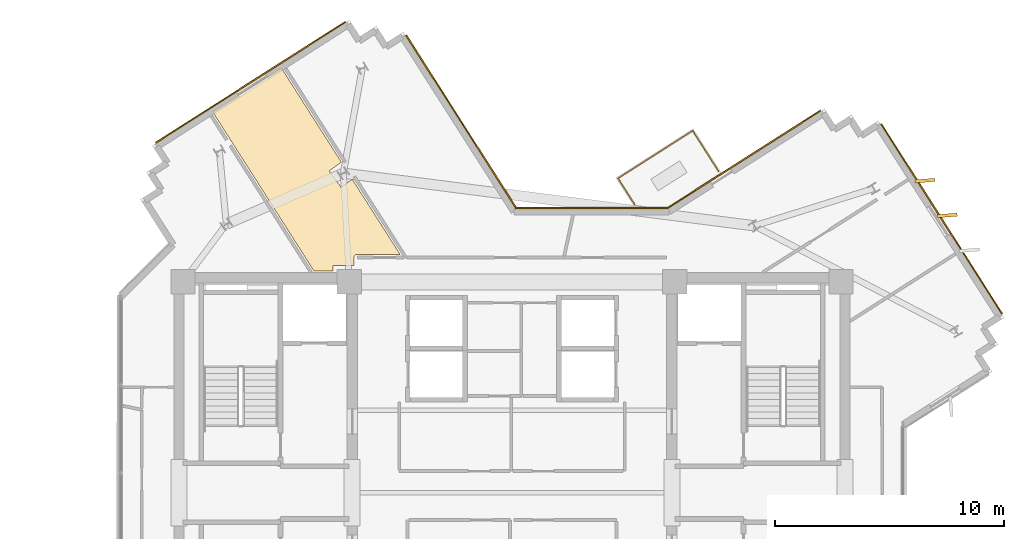
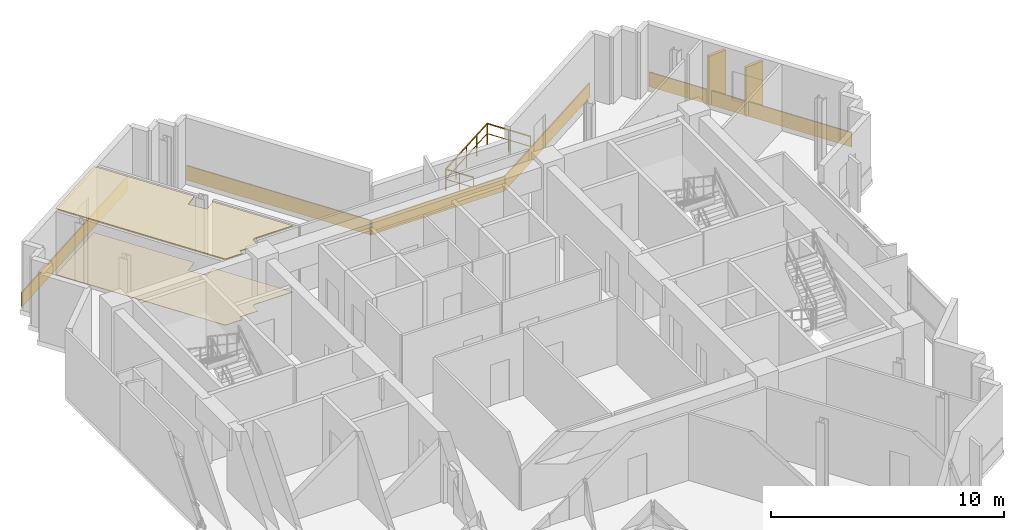
# One storey, part 12 of 12: 9 coverings, 3 railings.
"""IFC4 building model written with IfcOpenShell, lengths in metres."""

import ifcopenshell
import ifcopenshell.guid

model = None  # the IFC model being written
_history = None  # IfcOwnerHistory: only IFC2X3 demands one
_inside = {}  # id of a spatial element -> (the spatial element, [elements in it])
_under = {}  # id of a project, library or spatial element -> (it, [spatial elements below it])
_declared = {}  # id of a project -> (the project, [libraries it declares])
_typed = {}  # id of a type object -> (the type object, [elements of that type])
_made_of = {}  # id of a material, layer set ... -> (it, [elements and type objects made of it])


def new_model(schema):
    """Start an empty IFC model of exactly this schema.

    Asked for "IFC4X3", IfcOpenShell would pick the latest addendum, in which some entities
    have other attributes; the version numbers below select the first issue.
    IFC2X3 requires an IfcOwnerHistory on every rooted entity: one is made here for all.
    """
    global model, _history
    if schema == "IFC4X3":
        model = ifcopenshell.file(schema_version=(4, 3, 0, 0))
    else:
        model = ifcopenshell.file(schema=schema)
    _inside.clear()
    _under.clear()
    _declared.clear()
    _typed.clear()
    _made_of.clear()
    _history = None
    if model.schema == "IFC2X3":
        org = make("IfcOrganization", Name="unknown")
        user = make(
            "IfcPersonAndOrganization",
            ThePerson=make("IfcPerson", FamilyName="unknown"),
            TheOrganization=org,
        )
        app = make(
            "IfcApplication",
            ApplicationDeveloper=org,
            Version="unknown",
            ApplicationFullName="unknown",
            ApplicationIdentifier="unknown",
        )
        _history = make(
            "IfcOwnerHistory",
            OwningUser=user,
            OwningApplication=app,
            ChangeAction="ADDED",
            CreationDate=0,
        )
    return model


def make(cls, **values):
    """One entity of the class cls with the attributes given. An attribute that is None is left unset."""
    return model.create_entity(
        cls, **{name: value for name, value in values.items() if value is not None}
    )


def rooted(cls, **values):
    """An entity with a GlobalId (a new one), such as an element, a storey or a relation."""
    return make(cls, GlobalId=ifcopenshell.guid.new(), OwnerHistory=_history, **values)


def si_unit(unit_type, name, prefix=None):
    """IfcSIUnit, for example si_unit("LENGTHUNIT", "METRE", prefix="MILLI")."""
    return make("IfcSIUnit", UnitType=unit_type, Prefix=prefix, Name=name)


def assignment(units):
    """IfcUnitAssignment: the units of a project."""
    return None if units is None else make("IfcUnitAssignment", Units=units)


def point(xyz):
    """IfcCartesianPoint."""
    return None if xyz is None else make("IfcCartesianPoint", Coordinates=xyz)


def direction(xyz):
    """IfcDirection."""
    return None if xyz is None else make("IfcDirection", DirectionRatios=xyz)


def frame(location, z_axis=None, x_axis=None):
    """IfcAxis2Placement3D, a coordinate frame: its origin and axes. An axis left out is left unset."""
    return make(
        "IfcAxis2Placement3D",
        Location=point(location),
        Axis=direction(z_axis),
        RefDirection=direction(x_axis),
    )


def frame_2d(location, x_axis=None):
    """IfcAxis2Placement2D, a coordinate frame in the plane: its origin and x axis."""
    return make(
        "IfcAxis2Placement2D", Location=point(location), RefDirection=direction(x_axis)
    )


def origin():
    """The frame at (0, 0, 0) with its axes left unset."""
    return frame((0.0, 0.0, 0.0))


def origin_2d():
    """The frame at (0, 0) in the plane with its x axis left unset."""
    return frame_2d((0.0, 0.0))


def place(relative_to, where):
    """IfcLocalPlacement: puts the frame where relative to a parent placement (None: the world)."""
    return make(
        "IfcLocalPlacement", PlacementRelTo=relative_to, RelativePlacement=where
    )


def context(
    kind, dimensions, precision=None, world=None, true_north=None, identifier=None
):
    """IfcGeometricRepresentationContext, for example the 3D "Model" context."""
    return make(
        "IfcGeometricRepresentationContext",
        ContextIdentifier=identifier,
        ContextType=kind,
        CoordinateSpaceDimension=dimensions,
        Precision=precision,
        WorldCoordinateSystem=world,
        TrueNorth=true_north,
    )


def subcontext(parent, identifier, kind, view, scale=None):
    """IfcGeometricRepresentationSubContext, for example "Body" below "Model"."""
    return make(
        "IfcGeometricRepresentationSubContext",
        ContextIdentifier=identifier,
        ContextType=kind,
        ParentContext=parent,
        TargetScale=scale,
        TargetView=view,
    )


def project(units=None, contexts=None):
    """IfcProject with its units and contexts."""
    return rooted(
        "IfcProject",
        Name="project",
        RepresentationContexts=contexts,
        UnitsInContext=assignment(units),
    )


def spatial(cls, under=None, at=None, **own):
    """A site, building, storey or space (cls), placed at a placement, below another one or the project."""
    s = rooted(cls, ObjectPlacement=at, **own)
    if under is not None:
        _under.setdefault(under.id(), (under, []))[1].append(s)
    return s


def polyline(points):
    """IfcPolyline through the points."""
    return make("IfcPolyline", Points=[point(p) for p in points])


def profile(cls, at=None, kind="AREA", **sizes):
    """A parametric profile (cls). Its sizes go by their IFC names, for example OverallWidth=200.0."""
    return make(cls, ProfileType=kind, Position=at, **sizes)


def rectangle(**sizes):
    """IfcRectangleProfileDef."""
    return profile("IfcRectangleProfileDef", **sizes)


def outline(outer, holes=None, kind="AREA"):
    """IfcArbitraryClosedProfileDef: a profile drawn as a closed curve; with holes, ...WithVoids."""
    if holes is None:
        return make("IfcArbitraryClosedProfileDef", ProfileType=kind, OuterCurve=outer)
    return make(
        "IfcArbitraryProfileDefWithVoids",
        ProfileType=kind,
        OuterCurve=outer,
        InnerCurves=holes,
    )


def extrude(swept, where, along, depth):
    """IfcExtrudedAreaSolid: the profile swept, set in the frame where, extruded along a direction by depth."""
    return make(
        "IfcExtrudedAreaSolid",
        SweptArea=swept,
        Position=where,
        ExtrudedDirection=direction(along),
        Depth=depth,
    )


def shape(context_of_items, identifier, shape_type, items):
    """IfcShapeRepresentation: the items that make up one representation, for example the "Body"."""
    return make(
        "IfcShapeRepresentation",
        ContextOfItems=context_of_items,
        RepresentationIdentifier=identifier,
        RepresentationType=shape_type,
        Items=items,
    )


def source(mapping_origin, context_of_items, identifier, shape_type, items):
    """IfcRepresentationMap: a shape defined once, which mapped items show again and again."""
    return make(
        "IfcRepresentationMap",
        MappingOrigin=mapping_origin,
        MappedRepresentation=shape(context_of_items, identifier, shape_type, items),
    )


def transform(
    local_origin,
    x_axis=None,
    y_axis=None,
    z_axis=None,
    scale=None,
    scale2=None,
    scale3=None,
    uniform=True,
):
    """IfcCartesianTransformationOperator3D, or its non-uniform kind. x_axis, y_axis, z_axis: its Axis1, 2, 3."""
    if uniform:
        return make(
            "IfcCartesianTransformationOperator3D",
            Axis1=direction(x_axis),
            Axis2=direction(y_axis),
            LocalOrigin=point(local_origin),
            Scale=scale,
            Axis3=direction(z_axis),
        )
    return make(
        "IfcCartesianTransformationOperator3DnonUniform",
        Axis1=direction(x_axis),
        Axis2=direction(y_axis),
        LocalOrigin=point(local_origin),
        Scale=scale,
        Axis3=direction(z_axis),
        Scale2=scale2,
        Scale3=scale3,
    )


def mapped(mapping_source, mapping_target):
    """IfcMappedItem: shows the shape of a source again, moved by a transform."""
    return make(
        "IfcMappedItem", MappingSource=mapping_source, MappingTarget=mapping_target
    )


def material(Name=None, Category=None):
    """IfcMaterial."""
    return make("IfcMaterial", Name=Name, Category=Category)


def layer(
    of_material, thickness, ventilated=None, Name=None, Category=None, Priority=None
):
    """IfcMaterialLayer: one layer of a wall or slab, of a material (None: an air gap)."""
    return make(
        "IfcMaterialLayer",
        Material=of_material,
        LayerThickness=thickness,
        IsVentilated=ventilated,
        Name=Name,
        Category=Category,
        Priority=Priority,
    )


def layer_set(layers, Name=None):
    """IfcMaterialLayerSet."""
    return make("IfcMaterialLayerSet", MaterialLayers=layers, LayerSetName=Name)


def made_of(thing, what):
    """Note that an element or type object is made of a material, layer set ...; save() writes the relation."""
    if what is not None:
        _made_of.setdefault(what.id(), (what, []))[1].append(thing)
    return thing


def type_object(cls, material=None, **own):
    """A type object (cls), such as IfcWallType, which elements share."""
    return made_of(rooted(cls, **own), material)


def element(
    cls,
    number,
    at=None,
    inside=None,
    cuts=None,
    type_object=None,
    material=None,
    context=None,
    identifier="Body",
    shape_type=None,
    held_by="IfcProductDefinitionShape",
    body=None,
    shapes=None,
    **own,
):
    """One element of the class cls, such as IfcWall. Its Tag is "e" and its number.

    at: its placement. inside: the storey or other place that contains it. cuts: it is an
    opening in that element (IfcRelVoidsElement). A single representation is given by context,
    identifier, shape_type and body (its items); several are given by shapes. held_by: the class
    of the entity that holds the representations. save() writes the other relations.
    """
    e = rooted(cls, Tag="e%d" % number, ObjectPlacement=at, **own)
    if body is not None:
        shapes = [shape(context, identifier, shape_type, body)]
    if shapes is not None:
        e.Representation = make(held_by, Representations=shapes)
    if inside is not None:
        _inside.setdefault(inside.id(), (inside, []))[1].append(e)
    if cuts is not None:
        rooted(
            "IfcRelVoidsElement", RelatingBuildingElement=cuts, RelatedOpeningElement=e
        )
    if type_object is not None:
        _typed.setdefault(type_object.id(), (type_object, []))[1].append(e)
    return made_of(e, material)


def aggregate(whole, parts):
    """IfcRelAggregates: a whole, such as a stair, and the parts it consists of."""
    return rooted("IfcRelAggregates", RelatingObject=whole, RelatedObjects=parts)


def save(model, path):
    """Write the relations noted so far, then the file.

    IfcRelAggregates (storeys below a building ...), IfcRelContainedInSpatialStructure (elements
    in a storey), IfcRelDefinesByType, IfcRelAssociatesMaterial and IfcRelDeclares: one each for
    every whole, place, type object, material and project.
    """
    for whole, parts in _under.values():
        aggregate(whole, parts)
    for where, things in _inside.values():
        rooted(
            "IfcRelContainedInSpatialStructure",
            RelatedElements=things,
            RelatingStructure=where,
        )
    for kind, things in _typed.values():
        rooted("IfcRelDefinesByType", RelatedObjects=things, RelatingType=kind)
    for what, things in _made_of.values():
        rooted("IfcRelAssociatesMaterial", RelatedObjects=things, RelatingMaterial=what)
    for by, libraries in _declared.values():
        rooted("IfcRelDeclares", RelatingContext=by, RelatedDefinitions=libraries)
    model.write(path)


model = new_model("IFC4")

# Units and contexts
model_context = context("Model", 3, precision=1e-05, world=origin(), true_north=direction((0.0, 1.0)))
body_context = subcontext(model_context, "Body", "Model", "MODEL_VIEW")
ifc_project = project(units=[si_unit("LENGTHUNIT", "METRE"), si_unit("AREAUNIT", "SQUARE_METRE"), si_unit("VOLUMEUNIT", "CUBIC_METRE"), si_unit("PLANEANGLEUNIT", "RADIAN"), si_unit("MASSUNIT", "GRAM", prefix="KILO")], contexts=[model_context])

# Site, building, storey
site_placement = place(None, origin())
site = spatial("IfcSite", under=ifc_project, at=site_placement, CompositionType="ELEMENT")
building_placement = place(site_placement, origin())
building = spatial("IfcBuilding", under=site, at=building_placement, Name="Zahravan Cultural Tower", CompositionType="ELEMENT")
storey_placement = place(building_placement, frame((0.0, 0.0, 265.35009765625)))
storey = spatial("IfcBuildingStorey", under=building, at=storey_placement, Name="L63", CompositionType="ELEMENT", Elevation=265.35009765625)

# Coverings
ifc_material_1 = material(Name="Acoustic mineral fibreboard")
ifc_layer_1 = layer(ifc_material_1, 0.0400390625)
ifc_layer_set_1 = layer_set([ifc_layer_1], Name="Acoustic mineral fibreboard")
covering_type_1 = type_object("IfcCoveringType", Name="COV-CEIL-AC20", PredefinedType="CEILING", material=ifc_layer_set_1)
covering_1_placement = place(storey_placement, frame((0.0, 0.0, 3.4599609375)))
element("IfcCovering", 1, at=covering_1_placement, inside=storey, type_object=covering_type_1, Name="L63 Acoustic Suspended Ceiling", PredefinedType="CEILING", context=body_context, shape_type="SweptSolid", body=[
    extrude(outline(polyline([(28.54541015625, 40.32275390625), (28.0283203125, 41.03466796875), (28.55712890625, 41.4189453125), (25.93505859375, 45.53466796875), (22.9326171875, 43.6220703125), (27.35498046875, 36.679931640625), (28.199951171875, 36.679931640625), (28.199951171875, 36.89990234375), (29.110107421875, 36.89990234375), (29.1103515625, 37.28173828125), (29.139892578125, 37.353271484375), (29.21630859375, 37.398681640625), (31.117431640625, 37.39990234375), (29.03076171875, 40.67529296875), (28.54541015625, 40.32275390625)])), origin(), (0.0, 0.0, 1.0), 0.0400390625),
])
ifc_material_2 = material(Name="Terrazzo flooring")
ifc_layer_2 = layer(ifc_material_2, 0.02490234375)
ifc_layer_set_2 = layer_set([ifc_layer_2], Name="Terrazzo flooring")
covering_type_2 = type_object("IfcCoveringType", Name="COV-FLR-TZ25", PredefinedType="FLOORING", material=ifc_layer_set_2)
covering_2_placement = place(storey_placement, origin())
element("IfcCovering", 2, at=covering_2_placement, inside=storey, type_object=covering_type_2, Name="L63 Polished Terrazzo Flooring", PredefinedType="FLOORING", context=body_context, shape_type="SweptSolid", body=[
    extrude(outline(polyline([(28.54541015625, 40.32275390625), (28.0283203125, 41.03466796875), (28.55712890625, 41.4189453125), (25.93505859375, 45.53466796875), (22.9326171875, 43.6220703125), (27.35498046875, 36.679931640625), (28.199951171875, 36.679931640625), (28.199951171875, 36.89990234375), (29.110107421875, 36.89990234375), (29.1103515625, 37.28173828125), (29.139892578125, 37.353271484375), (29.21630859375, 37.398681640625), (31.117431640625, 37.39990234375), (29.03076171875, 40.67529296875), (28.54541015625, 40.32275390625)])), origin(), (0.0, 0.0, 1.0), 0.02490234375),
])

# Railings
ifc_material_3 = material(Name="Steel ASTM A572 Grade 50", Category="steel")
railing_type = type_object("IfcRailingType", Name="RL-BAL-1150", PredefinedType="BALUSTRADE", material=ifc_material_3)
railing_1_placement = place(storey_placement, frame((40.626220703125, 40.71337890625, 0.0)))
element("IfcRailing", 3, at=railing_1_placement, inside=storey, type_object=railing_type, Name="L63 Edge Balustrade GRD-TR-L63-NE-01", PredefinedType="BALUSTRADE", context=body_context, shape_type="SweptSolid", body=[
    extrude(rectangle(XDim=0.05, YDim=0.05, at=origin_2d()), frame((0.0, 0.0, 1.125), z_axis=(0.843400958966, 0.537284675397, 0.0), x_axis=(-0.537284675397, 0.843400958966, 0.0)), (0.0, 0.0, 1.0), 3.860107421875),
    extrude(rectangle(XDim=0.032, YDim=0.032, at=origin_2d()), frame((0.0, 0.0, 0.597900390625), z_axis=(0.843400958966, 0.537284675397, 0.0), x_axis=(-0.537284675397, 0.843400958966, 0.0)), (0.0, 0.0, 1.0), 3.860107421875),
    extrude(rectangle(XDim=0.04, YDim=0.04, at=origin_2d()), origin(), (0.0, 0.0, 1.0), 1.14990234375),
    extrude(rectangle(XDim=0.04, YDim=0.04, at=origin_2d()), frame((0.81396484375, 0.5185546875, 0.0)), (0.0, 0.0, 1.0), 1.14990234375),
    extrude(rectangle(XDim=0.04, YDim=0.04, at=origin_2d()), frame((1.6279296875, 1.037109375, 0.0)), (0.0, 0.0, 1.0), 1.14990234375),
    extrude(rectangle(XDim=0.04, YDim=0.04, at=origin_2d()), frame((2.441650390625, 1.555419921875, 0.0)), (0.0, 0.0, 1.0), 1.14990234375),
    extrude(rectangle(XDim=0.04, YDim=0.04, at=origin_2d()), frame((3.255615234375, 2.073974609375, 0.0)), (0.0, 0.0, 1.0), 1.14990234375),
])
railing_2_placement = place(storey_placement, frame((43.8818359375, 42.787353515625, 0.0)))
element("IfcRailing", 4, at=railing_2_placement, inside=storey, type_object=railing_type, Name="L63 Edge Balustrade GRD-TR-L63-NE-02", PredefinedType="BALUSTRADE", context=body_context, shape_type="SweptSolid", body=[
    extrude(rectangle(XDim=0.05, YDim=0.05, at=origin_2d()), frame((0.0, 0.0, 1.125), z_axis=(0.537221481212, -0.8434412132, 0.0), x_axis=(0.8434412132, 0.537221481212, 0.0)), (0.0, 0.0, 1.0), 2.10009765625),
    extrude(rectangle(XDim=0.032, YDim=0.032, at=origin_2d()), frame((0.0, 0.0, 0.597900390625), z_axis=(0.537221481212, -0.8434412132, 0.0), x_axis=(0.8434412132, 0.537221481212, 0.0)), (0.0, 0.0, 1.0), 2.10009765625),
    extrude(rectangle(XDim=0.04, YDim=0.04, at=origin_2d()), origin(), (0.0, 0.0, 1.0), 1.14990234375),
    extrude(rectangle(XDim=0.04, YDim=0.04, at=origin_2d()), frame((0.56396484375, -0.8857421875, 0.0)), (0.0, 0.0, 1.0), 1.14990234375),
    extrude(rectangle(XDim=0.04, YDim=0.04, at=origin_2d()), frame((1.128173828125, -1.771240234375, 0.0)), (0.0, 0.0, 1.0), 1.14990234375),
])
railing_3_placement = place(storey_placement, frame((41.348388671875, 39.580078125, 0.0)))
element("IfcRailing", 5, at=railing_3_placement, inside=storey, type_object=railing_type, Name="L63 Edge Balustrade GRD-TR-L63-NE-03", PredefinedType="BALUSTRADE", context=body_context, shape_type="SweptSolid", body=[
    extrude(rectangle(XDim=0.05, YDim=0.05, at=origin_2d()), frame((0.0, 0.0, 1.125), z_axis=(-0.53739262876, 0.843332178062, 0.0), x_axis=(-0.843332178062, -0.53739262876, 0.0)), (0.0, 0.0, 1.0), 1.34375),
    extrude(rectangle(XDim=0.032, YDim=0.032, at=origin_2d()), frame((0.0, 0.0, 0.597900390625), z_axis=(-0.53739262876, 0.843332178062, 0.0), x_axis=(-0.843332178062, -0.53739262876, 0.0)), (0.0, 0.0, 1.0), 1.34375),
    extrude(rectangle(XDim=0.04, YDim=0.04, at=origin_2d()), origin(), (0.0, 0.0, 1.0), 1.14990234375),
    extrude(rectangle(XDim=0.04, YDim=0.04, at=origin_2d()), frame((-0.361083984375, 0.566650390625, 0.0)), (0.0, 0.0, 1.0), 1.14990234375),
    extrude(rectangle(XDim=0.04, YDim=0.04, at=origin_2d()), frame((-0.72216796875, 1.13330078125, 0.0)), (0.0, 0.0, 1.0), 1.14990234375),
])

# Coverings
ifc_material_4 = material(Name="Terracotta ceramic cladding", Category="masonry")
ifc_layer_3 = layer(ifc_material_4, 0.06005859375)
ifc_layer_set_3 = layer_set([ifc_layer_3], Name="Terracotta ceramic cladding")
covering_type_3 = type_object("IfcCoveringType", Name="COV-CLAD-TC60", PredefinedType="CLADDING", material=ifc_layer_set_3)
shared_shape_1 = source(origin(), body_context, "Body", "SweptSolid", [
    extrude(rectangle(XDim=9.81982421875, YDim=0.06005859375, at=origin_2d()), origin(), (0.0, 0.0, 1.0), 0.760009765625),
])
for number, where, z_axis, x_axis, name in (
    (6, (54.744384765625, 38.94140625, 0.02001953125), (0.0, 0.0, 1.0), (0.537299608347, -0.843391445813, 0.0), "L63 Terracotta Spandrel Cladding 06"),
    (7, (24.595703125, 44.90087890625, 0.02001953125), (0.0, 0.0, 1.0), (0.843391445813, 0.537299608347, 0.0), "L63 Terracotta Spandrel Cladding 42"),
):
    element("IfcCovering", number, at=place(storey_placement, frame(where, z_axis=z_axis, x_axis=x_axis)), inside=storey, type_object=covering_type_3, Name=name, PredefinedType="CLADDING", context=body_context, shape_type="MappedRepresentation", body=[
        mapped(shared_shape_1, transform((0.0, 0.0, 0.0), x_axis=(1.0, 0.0, 0.0), y_axis=(0.0, 1.0, 0.0), z_axis=(0.0, 0.0, 1.0), scale=1.0)),
    ])
shared_shape_2 = source(origin(), body_context, "Body", "SweptSolid", [
    extrude(rectangle(XDim=0.8798828125, YDim=0.139892578125, at=origin_2d()), origin(), (0.0, 0.0, 1.0), 2.580078125),
])
for number, where, z_axis, x_axis, name in (
    (8, (54.017578125, 40.61279296875, 0.0498046875), (0.0, 0.0, 1.0), (0.996917333733, 0.078459095728, 0.0), "L63 Herringbone Terracotta Fin 01"),
    (9, (54.984619140625, 39.094482421875, 0.0498046875), (0.0, 0.0, 1.0), (0.996917333733, 0.078459095728, 0.0), "L63 Herringbone Terracotta Fin 02"),
):
    element("IfcCovering", number, at=place(storey_placement, frame(where, z_axis=z_axis, x_axis=x_axis)), inside=storey, type_object=covering_type_3, Name=name, PredefinedType="CLADDING", context=body_context, shape_type="MappedRepresentation", body=[
        mapped(shared_shape_2, transform((0.0, 0.0, 0.0), x_axis=(1.0, 0.0, 0.0), y_axis=(0.0, 1.0, 0.0), z_axis=(0.0, 0.0, 1.0), scale=1.0)),
    ])
shared_shape_3 = source(origin(), body_context, "Body", "SweptSolid", [
    extrude(rectangle(XDim=7.896240234375, YDim=0.06005859375, at=origin_2d()), origin(), (0.0, 0.0, 1.0), 0.760009765625),
])
covering_3_placement = place(storey_placement, frame((46.13232421875, 41.54736328125, 0.02001953125), z_axis=(0.0, 0.0, 1.0), x_axis=(0.843391445813, 0.537299608347, 0.0)))
element("IfcCovering", 10, at=covering_3_placement, inside=storey, type_object=covering_type_3, Name="L63 Terracotta Spandrel Cladding 01", PredefinedType="CLADDING", context=body_context, shape_type="MappedRepresentation", body=[
    mapped(shared_shape_3, transform((0.0, 0.0, 0.0), x_axis=(1.0, 0.0, 0.0), y_axis=(0.0, 1.0, 0.0), z_axis=(0.0, 0.0, 1.0), scale=1.0)),
])
shared_shape_4 = source(origin(), body_context, "Body", "SweptSolid", [
    extrude(rectangle(XDim=8.96630859375, YDim=0.06005859375, at=origin_2d()), origin(), (0.0, 0.0, 1.0), 0.760009765625),
])
covering_4_placement = place(storey_placement, frame((33.789794921875, 43.171875, 0.02001953125), z_axis=(0.0, 0.0, 1.0), x_axis=(0.537299608347, -0.843391445813, 0.0)))
element("IfcCovering", 11, at=covering_4_placement, inside=storey, type_object=covering_type_3, Name="L63 Terracotta Spandrel Cladding 47", PredefinedType="CLADDING", context=body_context, shape_type="MappedRepresentation", body=[
    mapped(shared_shape_4, transform((0.0, 0.0, 0.0), x_axis=(1.0, 0.0, 0.0), y_axis=(0.0, 1.0, 0.0), z_axis=(0.0, 0.0, 1.0), scale=1.0)),
])
shared_shape_5 = source(origin(), body_context, "Body", "SweptSolid", [
    extrude(rectangle(XDim=6.662841796875, YDim=0.06005859375, at=origin_2d()), origin(), (0.0, 0.0, 1.0), 0.760009765625),
])
covering_5_placement = place(storey_placement, frame((39.467529296875, 39.425048828125, 0.02001953125), z_axis=(0.0, 0.0, 1.0), x_axis=(1.0, 0.0, 0.0)))
element("IfcCovering", 12, at=covering_5_placement, inside=storey, type_object=covering_type_3, Name="L63 Terracotta Spandrel Cladding 48", PredefinedType="CLADDING", context=body_context, shape_type="MappedRepresentation", body=[
    mapped(shared_shape_5, transform((0.0, 0.0, 0.0), x_axis=(1.0, 0.0, 0.0), y_axis=(0.0, 1.0, 0.0), z_axis=(0.0, 0.0, 1.0), scale=1.0)),
])

save(model, "model.ifc")
